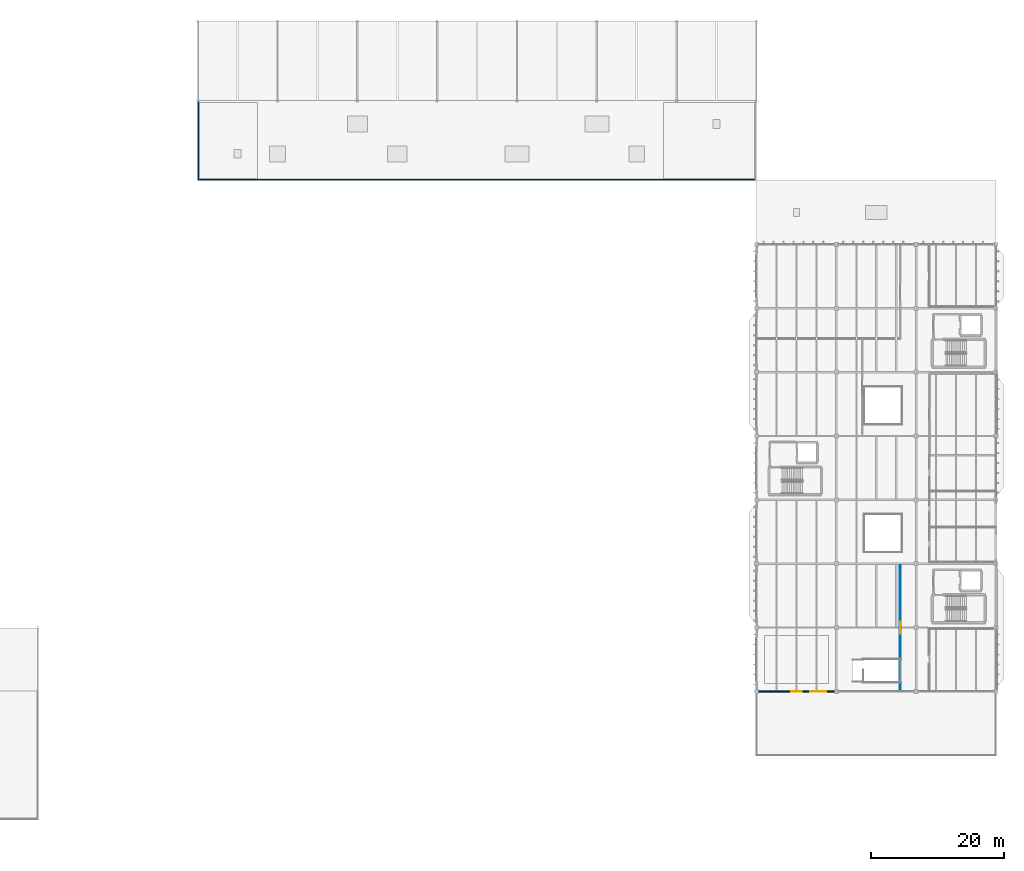
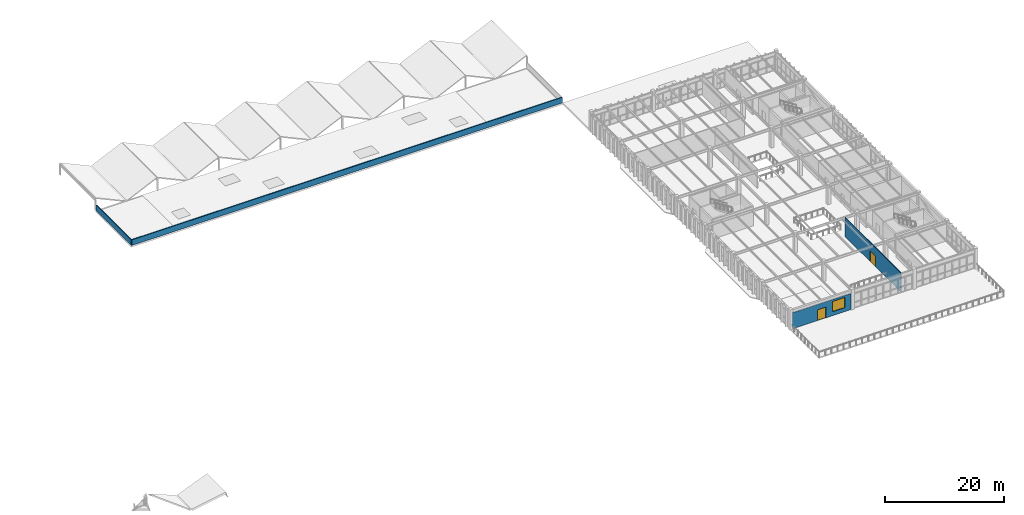
# One storey, part 73 of 83: 4 walls, 2 doors, 1 window, 3 openings.
"""IFC4 building model written with IfcOpenShell, lengths in metres."""

from ifc_helpers import new_model, si_unit, direction, frame, frame_2d, origin, place, context, subcontext, project, spatial, rectangle, extrude, material, layer, layer_set, type_object, element, fill, save


model = new_model("IFC4")

# Units and contexts
model_context = context("Model", 3, precision=1e-05, world=origin(), true_north=direction((0.0, 1.0)))
body_context = subcontext(model_context, "Body", "Model", "MODEL_VIEW")
ifc_project = project(units=[si_unit("LENGTHUNIT", "METRE"), si_unit("AREAUNIT", "SQUARE_METRE"), si_unit("VOLUMEUNIT", "CUBIC_METRE"), si_unit("PLANEANGLEUNIT", "RADIAN"), si_unit("MASSUNIT", "GRAM", prefix="KILO")], contexts=[model_context])

# Site, building, storey
site_placement = place(None, origin())
site = spatial("IfcSite", under=ifc_project, at=site_placement, CompositionType="ELEMENT")
building_placement = place(site_placement, origin())
building = spatial("IfcBuilding", under=site, at=building_placement, Name="Pandanus Reach Market Hall", CompositionType="ELEMENT")
storey_placement = place(building_placement, frame((0.0, 0.0, 10.199951171875)))
storey = spatial("IfcBuildingStorey", under=building, at=storey_placement, Name="L02", CompositionType="ELEMENT", Elevation=10.199951171875)

# Wall, openings, door, window
ifc_material_1 = material(Name="Precast concrete S50 (50 MPa)", Category="concrete")
ifc_layer_1 = layer(ifc_material_1, 0.219970703125, Name="WL-EXT-220")
ifc_layer_set_1 = layer_set([ifc_layer_1], Name="Precast concrete S50 (50 MPa)")
wall_type_1 = type_object("IfcWallType", Name="WL-EXT-220", PredefinedType="SOLIDWALL", material=ifc_layer_set_1)
wall_1_placement = place(storey_placement, frame((144.300048828125, 19.199951171875, 0.0), z_axis=(0.0, 0.0, 1.0), x_axis=(1.0, 0.0, 0.0)))
wall_1 = element("IfcWall", 1, at=wall_1_placement, inside=storey, type_object=wall_type_1, Name="External wall WL-EXT-220 WL-0100", PredefinedType="SOLIDWALL", context=body_context, shape_type="SweptSolid", body=[
    extrude(rectangle(XDim=11.39990234375, YDim=0.219970703125, at=frame_2d((5.699951171875, 0.0))), origin(), (0.0, 0.0, 1.0), 3.296142578125),
])
opening_1_placement = place(wall_1_placement, frame((4.89990234375, 0.0, 0.0)))
opening_1 = element("IfcOpeningElement", 2, at=opening_1_placement, cuts=wall_1, Name="Opening TD-160", PredefinedType="OPENING", context=body_context, shape_type="SweptSolid", body=[
    extrude(rectangle(XDim=1.60009765625, YDim=2.199951171875, at=frame_2d((0.800048828125, 1.10009765625))), frame((0.0, 0.125, 0.0), z_axis=(0.0, -1.0, 0.0), x_axis=(1.0, 0.0, 0.0)), (0.0, 0.0, 1.0), 0.25),
])
opening_2_placement = place(wall_1_placement, frame((7.800048828125, 0.0, 0.800048828125)))
opening_2 = element("IfcOpeningElement", 3, at=opening_2_placement, cuts=wall_1, Name="Opening WN-12", PredefinedType="OPENING", context=body_context, shape_type="SweptSolid", body=[
    extrude(rectangle(XDim=2.39990234375, YDim=2.10009765625, at=frame_2d((1.199951171875, 1.050048828125))), frame((0.0, 0.125, 0.0), z_axis=(0.0, -1.0, 0.0), x_axis=(1.0, 0.0, 0.0)), (0.0, 0.0, 1.0), 0.25),
])
ifc_material_2 = material(Name="Bronze anodised aluminium", Category="aluminium")
door_type_1 = type_object("IfcDoorType", Name="TD-160", OperationType="DOUBLE_DOOR_SINGLE_SWING", PredefinedType="DOOR", material=ifc_material_2)
door_1_placement = place(opening_1_placement, frame((1.60009765625, 0.0, 0.0), z_axis=(0.0, 0.0, 1.0), x_axis=(-1.0, 0.0, 0.0)))
door_1 = element("IfcDoor", 4, at=door_1_placement, inside=storey, type_object=door_type_1, Name="Roof garden terrace door L02 TD-160 35", OperationType="DOUBLE_DOOR_SINGLE_SWING", OverallHeight=2.199951171875, OverallWidth=1.60009765625, PredefinedType="DOOR", context=body_context, shape_type="SweptSolid", body=[
    extrude(rectangle(XDim=1.60009765625, YDim=2.199951171875, at=frame_2d((0.800048828125, 1.10009765625))), frame((0.0, 0.02490234375, 0.0), z_axis=(0.0, -1.0, 0.0), x_axis=(1.0, 0.0, 0.0)), (0.0, 0.0, 1.0), 0.050048828125),
])
fill(opening_1, door_1)
ifc_material_3 = material(Name="Solar-control double glazing", Category="glass")
window_type = type_object("IfcWindowType", Name="WN-12", PartitioningType="SINGLE_PANEL", PredefinedType="WINDOW", material=ifc_material_3)
window_placement = place(opening_2_placement, origin())
window = element("IfcWindow", 5, at=window_placement, inside=storey, type_object=window_type, Name="Window WN-12 50", OverallHeight=2.10009765625, OverallWidth=2.39990234375, PartitioningType="SINGLE_PANEL", PredefinedType="WINDOW", context=body_context, shape_type="SweptSolid", body=[
    extrude(rectangle(XDim=2.39990234375, YDim=2.10009765625, at=frame_2d((1.199951171875, 1.050048828125))), frame((0.0, 0.030029296875, 0.0), z_axis=(0.0, -1.0, 0.0), x_axis=(1.0, 0.0, 0.0)), (0.0, 0.0, 1.0), 0.06005859375),
])
fill(opening_2, window)

# Walls
ifc_layer_2 = layer(ifc_material_1, 0.1650390625, Name="WL-PAR-165")
ifc_layer_set_2 = layer_set([ifc_layer_2], Name="Precast concrete S50 (50 MPa)")
wall_type_2 = type_object("IfcWallType", Name="WL-PAR-165", PredefinedType="PARAPET", material=ifc_layer_set_2)
wall_2_placement = place(storey_placement, frame((60.10009765625, 96.10009765625, 0.0), z_axis=(0.0, 0.0, 1.0), x_axis=(0.0, 1.0, 0.0)))
element("IfcWall", 6, at=wall_2_placement, inside=storey, type_object=wall_type_2, Name="Roof parapet WL-PAR-165 L02.6", PredefinedType="PARAPET", context=body_context, shape_type="SweptSolid", body=[
    extrude(rectangle(XDim=11.7998046875, YDim=0.1650390625, at=frame_2d((5.89990234375, 0.0))), origin(), (0.0, 0.0, 1.0), 1.150146484375),
])
ifc_layer_3 = layer(ifc_material_1, 0.18505859375, Name="WL-PAR-185")
ifc_layer_set_3 = layer_set([ifc_layer_3], Name="Precast concrete S50 (50 MPa)")
wall_type_3 = type_object("IfcWallType", Name="WL-PAR-185", PredefinedType="PARAPET", material=ifc_layer_set_3)
wall_3_placement = place(storey_placement, frame((60.10009765625, 96.10009765625, 0.0), z_axis=(0.0, 0.0, 1.0), x_axis=(1.0, 0.0, 0.0)))
element("IfcWall", 7, at=wall_3_placement, inside=storey, type_object=wall_type_3, Name="Roof parapet WL-PAR-185 L02.5", PredefinedType="PARAPET", context=body_context, shape_type="SweptSolid", body=[
    extrude(rectangle(XDim=83.7998046875, YDim=0.18505859375, at=frame_2d((41.89990234375, 0.0))), origin(), (0.0, 0.0, 1.0), 1.150146484375),
])

# Wall, opening, door
ifc_material_4 = material(Name="Lightweight plasterboard stud partition", Category="gypsum")
ifc_layer_4 = layer(ifc_material_4, 0.1201171875, Name="WL-PRT-120")
ifc_layer_set_4 = layer_set([ifc_layer_4], Name="Lightweight plasterboard stud partition")
wall_type_4 = type_object("IfcWallType", Name="WL-PRT-120", PredefinedType="PARTITIONING", material=ifc_layer_set_4)
wall_4_placement = place(storey_placement, frame((165.60009765625, 19.35009765625, 0.0), z_axis=(0.0, 0.0, 1.0), x_axis=(0.0, 1.0, 0.0)))
wall_4 = element("IfcWall", 8, at=wall_4_placement, inside=storey, type_object=wall_type_4, Name="Internal wall WL-PRT-120 WL-0544", PredefinedType="PARTITIONING", context=body_context, shape_type="SweptSolid", body=[
    extrude(rectangle(XDim=18.849853515625, YDim=0.1201171875, at=frame_2d((9.4248046875, 0.0))), origin(), (0.0, 0.0, 1.0), 3.93994140625),
])
opening_3_placement = place(wall_4_placement, frame((8.5, 0.0, 0.0)))
opening_3 = element("IfcOpeningElement", 9, at=opening_3_placement, cuts=wall_4, Name="Opening DR-I18", PredefinedType="OPENING", context=body_context, shape_type="SweptSolid", body=[
    extrude(rectangle(XDim=1.85009765625, YDim=2.199951171875, at=frame_2d((0.925048828125, 1.10009765625))), frame((0.0, 0.074951171875, 0.0), z_axis=(0.0, -1.0, 0.0), x_axis=(1.0, 0.0, 0.0)), (0.0, 0.0, 1.0), 0.150146484375),
])
ifc_material_5 = material(Name="Double market gallery swing door")
door_type_2 = type_object("IfcDoorType", Name="DR-I18", OperationType="DOUBLE_DOOR_SINGLE_SWING", PredefinedType="DOOR", material=ifc_material_5)
door_2_placement = place(opening_3_placement, origin())
door_2 = element("IfcDoor", 10, at=door_2_placement, inside=storey, type_object=door_type_2, Name="Providore gallery south door DR-I18 153", OperationType="DOUBLE_DOOR_SINGLE_SWING", OverallHeight=2.199951171875, OverallWidth=1.85009765625, PredefinedType="DOOR", context=body_context, shape_type="SweptSolid", body=[
    extrude(rectangle(XDim=1.85009765625, YDim=2.199951171875, at=frame_2d((0.925048828125, 1.10009765625))), frame((0.0, 0.02490234375, 0.0), z_axis=(0.0, -1.0, 0.0), x_axis=(1.0, 0.0, 0.0)), (0.0, 0.0, 1.0), 0.050048828125),
])
fill(opening_3, door_2)

save(model, "model.ifc")
